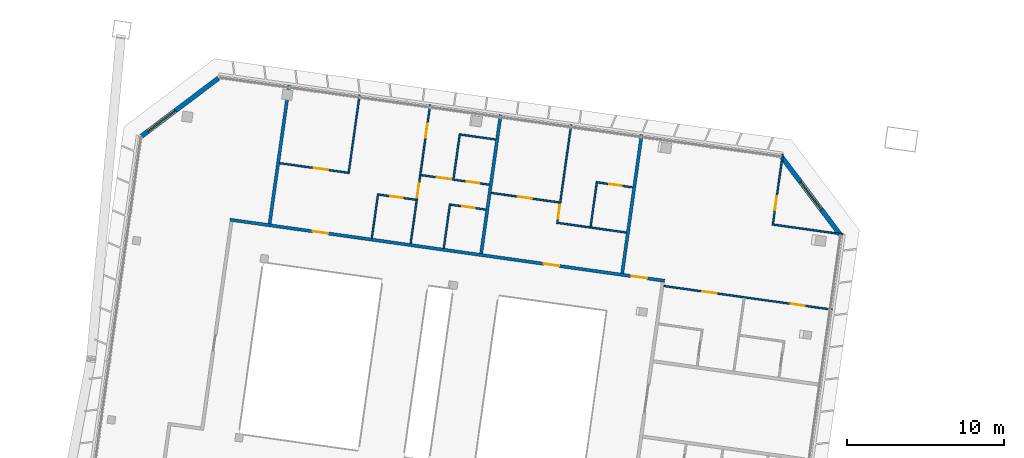
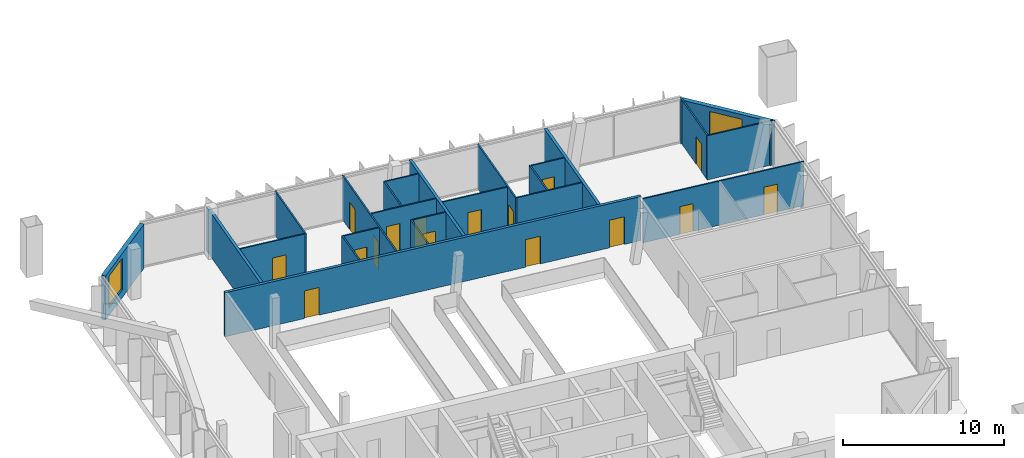
# One storey, part 13 of 19: 24 walls, 16 doors, 2 windows, 18 openings.
"""IFC4 building model written with IfcOpenShell, lengths in metres."""

from ifc_helpers import new_model, si_unit, direction, frame, frame_2d, origin, place, context, subcontext, project, spatial, rectangle, extrude, material, layer, layer_set, type_object, element, fill, save


model = new_model("IFC4")

# Units and contexts
model_context = context("Model", 3, precision=1e-05, world=origin(), true_north=direction((0.0, 1.0)))
body_context = subcontext(model_context, "Body", "Model", "MODEL_VIEW")
ifc_project = project(units=[si_unit("LENGTHUNIT", "METRE"), si_unit("AREAUNIT", "SQUARE_METRE"), si_unit("VOLUMEUNIT", "CUBIC_METRE"), si_unit("PLANEANGLEUNIT", "RADIAN"), si_unit("MASSUNIT", "GRAM", prefix="KILO")], contexts=[model_context])

# Site, building, storey
site_placement = place(None, origin())
site = spatial("IfcSite", under=ifc_project, at=site_placement, CompositionType="ELEMENT")
building_placement = place(site_placement, origin())
building = spatial("IfcBuilding", under=site, at=building_placement, Name="Mirante Cascada Hotel Towers", CompositionType="ELEMENT")
storey_placement = place(building_placement, frame((0.0, 0.0, 239.4)))
storey = spatial("IfcBuildingStorey", under=building, at=storey_placement, Name="L57", CompositionType="ELEMENT", Elevation=239.4)

# Wall, openings, doors
ifc_material_1 = material(Name="Fire-rated plasterboard on metal studs")
ifc_layer_1 = layer(ifc_material_1, 0.2)
ifc_layer_set_1 = layer_set([ifc_layer_1], Name="Compartment wall 200 EI 120")
wall_type_1 = type_object("IfcWallType", Name="Compartment wall 200 EI 120", PredefinedType="PARTITIONING", material=ifc_layer_set_1)
wall_1_placement = place(storey_placement, frame((-30.1927, 8.1254, 0.0), z_axis=(0.0, 0.0, 1.0), x_axis=(-0.9902682, 0.139172, 0.0)))
wall_1 = element("IfcWall", 1, at=wall_1_placement, inside=storey, type_object=wall_type_1, Name="Wall 1-L57-14", PredefinedType="PARTITIONING", context=body_context, shape_type="SweptSolid", body=[
    extrude(rectangle(XDim=27.9, YDim=0.2, at=frame_2d((13.95, 0.0))), origin(), (0.0, 0.0, 1.0), 3.35),
])
opening_1_placement = place(wall_1_placement, frame((1.1193, 0.0, 0.0)))
opening_1 = element("IfcOpeningElement", 2, at=opening_1_placement, cuts=wall_1, Name="Opening D1-L57-06", PredefinedType="OPENING", context=body_context, shape_type="SweptSolid", body=[
    extrude(rectangle(XDim=1.0, YDim=2.1, at=frame_2d((0.5, 1.05))), frame((0.0, 0.1, 0.0), z_axis=(0.0, -1.0, 0.0), x_axis=(1.0, 0.0, 0.0)), (0.0, 0.0, 1.0), 0.2),
])
opening_2_placement = place(wall_1_placement, frame((6.7655, 0.0, 0.0)))
opening_2 = element("IfcOpeningElement", 3, at=opening_2_placement, cuts=wall_1, Name="Opening D1-L57-07", PredefinedType="OPENING", context=body_context, shape_type="SweptSolid", body=[
    extrude(rectangle(XDim=1.0, YDim=2.1, at=frame_2d((0.5, 1.05))), frame((0.0, 0.1, 0.0), z_axis=(0.0, -1.0, 0.0), x_axis=(1.0, 0.0, 0.0)), (0.0, 0.0, 1.0), 0.2),
])
opening_3_placement = place(wall_1_placement, frame((21.5914, 0.0, 0.0)))
opening_3 = element("IfcOpeningElement", 4, at=opening_3_placement, cuts=wall_1, Name="Opening D1-L57-08", PredefinedType="OPENING", context=body_context, shape_type="SweptSolid", body=[
    extrude(rectangle(XDim=1.0, YDim=2.1, at=frame_2d((0.5, 1.05))), frame((0.0, 0.1, 0.0), z_axis=(0.0, -1.0, 0.0), x_axis=(1.0, 0.0, 0.0)), (0.0, 0.0, 1.0), 0.2),
])
ifc_material_2 = material(Name="Fire-rated timber door leaf", Category="wood")
door_type_1 = type_object("IfcDoorType", Name="Entrance door DG1 1000x2100 EI 60", OperationType="SINGLE_SWING_LEFT", PredefinedType="DOOR", material=ifc_material_2)
door_1_placement = place(opening_1_placement, frame((1.0, 0.0, 0.0), z_axis=(0.0, 0.0, 1.0), x_axis=(-1.0, 0.0, 0.0)))
door_1 = element("IfcDoor", 5, at=door_1_placement, inside=storey, type_object=door_type_1, Name="Door D1-L57-06", OperationType="SINGLE_SWING_RIGHT", OverallHeight=2.1, OverallWidth=1.0, PredefinedType="DOOR", context=body_context, shape_type="SweptSolid", body=[
    extrude(rectangle(XDim=1.0, YDim=2.1, at=frame_2d((0.5, 1.05))), frame((0.0, 0.025, 0.0), z_axis=(0.0, -1.0, 0.0), x_axis=(1.0, 0.0, 0.0)), (0.0, 0.0, 1.0), 0.05),
])
fill(opening_1, door_1)
door_2_placement = place(opening_2_placement, frame((1.0, 0.0, 0.0), z_axis=(0.0, 0.0, 1.0), x_axis=(-1.0, 0.0, 0.0)))
door_2 = element("IfcDoor", 6, at=door_2_placement, inside=storey, type_object=door_type_1, Name="Door D1-L57-07", OperationType="SINGLE_SWING_RIGHT", OverallHeight=2.1, OverallWidth=1.0, PredefinedType="DOOR", context=body_context, shape_type="SweptSolid", body=[
    extrude(rectangle(XDim=1.0, YDim=2.1, at=frame_2d((0.5, 1.05))), frame((0.0, 0.025, 0.0), z_axis=(0.0, -1.0, 0.0), x_axis=(1.0, 0.0, 0.0)), (0.0, 0.0, 1.0), 0.05),
])
fill(opening_2, door_2)
door_3_placement = place(opening_3_placement, frame((1.0, 0.0, 0.0), z_axis=(0.0, 0.0, 1.0), x_axis=(-1.0, 0.0, 0.0)))
door_3 = element("IfcDoor", 7, at=door_3_placement, inside=storey, type_object=door_type_1, Name="Door D1-L57-08", OperationType="SINGLE_SWING_RIGHT", OverallHeight=2.1, OverallWidth=1.0, PredefinedType="DOOR", context=body_context, shape_type="SweptSolid", body=[
    extrude(rectangle(XDim=1.0, YDim=2.1, at=frame_2d((0.5, 1.05))), frame((0.0, 0.025, 0.0), z_axis=(0.0, -1.0, 0.0), x_axis=(1.0, 0.0, 0.0)), (0.0, 0.0, 1.0), 0.05),
])
fill(opening_3, door_3)

# Walls
for number, where, z_axis, x_axis, name in (
    (8, (-31.6521, 17.4189, 0.0), (0.0, 0.0, 1.0), (-0.1391684, -0.9902687, 0.0), "Wall 1-L57-33"),
    (9, (-41.8564, 9.8656, 0.0), (0.0, 0.0, 1.0), (0.1391684, 0.9902687, 0.0), "Wall 1-L57-36"),
    (10, (-55.305, 11.7556, 0.0), (0.0, 0.0, 1.0), (0.1391794, 0.9902672, 0.0), "Wall 1-L57-42"),
):
    element("IfcWall", number, at=place(storey_placement, frame(where, z_axis=z_axis, x_axis=x_axis)), inside=storey, type_object=wall_type_1, Name=name, PredefinedType="PARTITIONING", context=body_context, shape_type="SweptSolid", body=[
        extrude(rectangle(XDim=8.9, YDim=0.2, at=frame_2d((4.45, 0.0))), origin(), (0.0, 0.0, 1.0), 3.35),
    ])

# Wall, openings, doors
ifc_material_3 = material(Name="Plasterboard on metal studs")
ifc_layer_2 = layer(ifc_material_3, 0.1)
ifc_layer_set_2 = layer_set([ifc_layer_2], Name="Partition 100")
wall_type_2 = type_object("IfcWallType", Name="Partition 100", PredefinedType="PARTITIONING", material=ifc_layer_set_2)
wall_2_placement = place(storey_placement, frame((-30.2391, 7.7953, 0.0), z_axis=(0.0, 0.0, 1.0), x_axis=(0.990268, -0.1391738, 0.0)))
wall_2 = element("IfcWall", 11, at=wall_2_placement, inside=storey, type_object=wall_type_2, Name="Wall 1-L57-13", PredefinedType="PARTITIONING", context=body_context, shape_type="SweptSolid", body=[
    extrude(rectangle(XDim=10.8153, YDim=0.1, at=frame_2d((5.4076, 0.0))), origin(), (0.0, 0.0, 1.0), 3.35),
])
opening_4_placement = place(wall_2_placement, frame((8.1364, 0.0, 0.0)))
opening_4 = element("IfcOpeningElement", 12, at=opening_4_placement, cuts=wall_2, Name="Opening D1-L57-04", PredefinedType="OPENING", context=body_context, shape_type="SweptSolid", body=[
    extrude(rectangle(XDim=0.9, YDim=2.1, at=frame_2d((0.45, 1.05))), frame((0.0, 0.05, 0.0), z_axis=(0.0, -1.0, 0.0), x_axis=(1.0, 0.0, 0.0)), (0.0, 0.0, 1.0), 0.1),
])
opening_5_placement = place(wall_2_placement, frame((2.4788, 0.0, 0.0)))
opening_5 = element("IfcOpeningElement", 13, at=opening_5_placement, cuts=wall_2, Name="Opening D1-L57-05", PredefinedType="OPENING", context=body_context, shape_type="SweptSolid", body=[
    extrude(rectangle(XDim=0.9, YDim=2.1, at=frame_2d((0.45, 1.05))), frame((0.0, 0.05, 0.0), z_axis=(0.0, -1.0, 0.0), x_axis=(1.0, 0.0, 0.0)), (0.0, 0.0, 1.0), 0.1),
])
ifc_material_4 = material(Name="Timber door leaf", Category="wood")
door_type_2 = type_object("IfcDoorType", Name="Room door DG3 900x2100", OperationType="SINGLE_SWING_LEFT", PredefinedType="DOOR", material=ifc_material_4)
door_4_placement = place(opening_4_placement, origin())
door_4 = element("IfcDoor", 14, at=door_4_placement, inside=storey, type_object=door_type_2, Name="Door D1-L57-04", OperationType="SINGLE_SWING_LEFT", OverallHeight=2.1, OverallWidth=0.9, PredefinedType="DOOR", context=body_context, shape_type="SweptSolid", body=[
    extrude(rectangle(XDim=0.9, YDim=2.1, at=frame_2d((0.45, 1.05))), frame((0.0, 0.025, 0.0), z_axis=(0.0, -1.0, 0.0), x_axis=(1.0, 0.0, 0.0)), (0.0, 0.0, 1.0), 0.05),
])
fill(opening_4, door_4)
door_5_placement = place(opening_5_placement, origin())
door_5 = element("IfcDoor", 15, at=door_5_placement, inside=storey, type_object=door_type_2, Name="Door D1-L57-05", OperationType="SINGLE_SWING_LEFT", OverallHeight=2.1, OverallWidth=0.9, PredefinedType="DOOR", context=body_context, shape_type="SweptSolid", body=[
    extrude(rectangle(XDim=0.9, YDim=2.1, at=frame_2d((0.45, 1.05))), frame((0.0, 0.025, 0.0), z_axis=(0.0, -1.0, 0.0), x_axis=(1.0, 0.0, 0.0)), (0.0, 0.0, 1.0), 0.05),
])
fill(opening_5, door_5)

# Wall
wall_3_placement = place(storey_placement, frame((-36.9622, 11.8033, 0.0), z_axis=(0.0, 0.0, 1.0), x_axis=(0.9902664, -0.1391852, 0.0)))
element("IfcWall", 16, at=wall_3_placement, inside=storey, type_object=wall_type_2, Name="Wall 1-L57-15", PredefinedType="PARTITIONING", context=body_context, shape_type="SweptSolid", body=[
    extrude(rectangle(XDim=4.3769, YDim=0.1, at=frame_2d((2.1884, 0.0))), origin(), (0.0, 0.0, 1.0), 3.35),
])

# Wall, opening, door
wall_4_placement = place(storey_placement, frame((-41.5658, 12.6522, 0.0), z_axis=(0.0, 0.0, 1.0), x_axis=(-0.9902643, 0.1391997, 0.0)))
wall_4 = element("IfcWall", 17, at=wall_4_placement, inside=storey, type_object=wall_type_2, Name="Wall 1-L57-16", PredefinedType="PARTITIONING", context=body_context, shape_type="SweptSolid", body=[
    extrude(rectangle(XDim=2.25, YDim=0.1, at=frame_2d((1.125, 0.0))), origin(), (0.0, 0.0, 1.0), 3.35),
])
opening_6_placement = place(wall_4_placement, frame((0.7, 0.0, 0.0)))
opening_6 = element("IfcOpeningElement", 18, at=opening_6_placement, cuts=wall_4, Name="Opening D1-L57-09", PredefinedType="OPENING", context=body_context, shape_type="SweptSolid", body=[
    extrude(rectangle(XDim=0.8, YDim=2.1, at=frame_2d((0.4, 1.05))), frame((0.0, 0.05, 0.0), z_axis=(0.0, -1.0, 0.0), x_axis=(1.0, 0.0, 0.0)), (0.0, 0.0, 1.0), 0.1),
])
ifc_material_5 = material(Name="Timber door leaf", Category="wood")
door_type_3 = type_object("IfcDoorType", Name="Bathroom door DG4 800x2100", OperationType="SINGLE_SWING_LEFT", PredefinedType="DOOR", material=ifc_material_5)
door_6_placement = place(opening_6_placement, origin())
door_6 = element("IfcDoor", 19, at=door_6_placement, inside=storey, type_object=door_type_3, Name="Door D1-L57-09", OperationType="SINGLE_SWING_LEFT", OverallHeight=2.1, OverallWidth=0.8, PredefinedType="DOOR", context=body_context, shape_type="SweptSolid", body=[
    extrude(rectangle(XDim=0.8, YDim=2.1, at=frame_2d((0.4, 1.05))), frame((0.0, 0.025, 0.0), z_axis=(0.0, -1.0, 0.0), x_axis=(1.0, 0.0, 0.0)), (0.0, 0.0, 1.0), 0.05),
])
fill(opening_6, door_6)

wall_5_placement = place(storey_placement, frame((-48.3663, 13.608, 0.0), z_axis=(0.0, 0.0, 1.0), x_axis=(0.9902674, -0.1391779, 0.0)))
wall_5 = element("IfcWall", 20, at=wall_5_placement, inside=storey, type_object=wall_type_2, Name="Wall 1-L57-17", PredefinedType="PARTITIONING", context=body_context, shape_type="SweptSolid", body=[
    extrude(rectangle(XDim=2.3905, YDim=0.1, at=frame_2d((1.1952, 0.0))), origin(), (0.0, 0.0, 1.0), 3.35),
])
opening_7_placement = place(wall_5_placement, frame((0.75, 0.0, 0.0)))
opening_7 = element("IfcOpeningElement", 21, at=opening_7_placement, cuts=wall_5, Name="Opening D1-L57-10", PredefinedType="OPENING", context=body_context, shape_type="SweptSolid", body=[
    extrude(rectangle(XDim=0.8, YDim=2.1, at=frame_2d((0.4, 1.05))), frame((0.0, 0.05, 0.0), z_axis=(0.0, -1.0, 0.0), x_axis=(1.0, 0.0, 0.0)), (0.0, 0.0, 1.0), 0.1),
])
door_7_placement = place(opening_7_placement, origin())
door_7 = element("IfcDoor", 22, at=door_7_placement, inside=storey, type_object=door_type_3, Name="Door D1-L57-10", OperationType="SINGLE_SWING_LEFT", OverallHeight=2.1, OverallWidth=0.8, PredefinedType="DOOR", context=body_context, shape_type="SweptSolid", body=[
    extrude(rectangle(XDim=0.8, YDim=2.1, at=frame_2d((0.4, 1.05))), frame((0.0, 0.025, 0.0), z_axis=(0.0, -1.0, 0.0), x_axis=(1.0, 0.0, 0.0)), (0.0, 0.0, 1.0), 0.05),
])
fill(opening_7, door_7)

wall_6_placement = place(storey_placement, frame((-36.8803, 13.1046, 0.0), z_axis=(0.0, 0.0, 1.0), x_axis=(-0.9902695, 0.1391628, 0.0)))
wall_6 = element("IfcWall", 23, at=wall_6_placement, inside=storey, type_object=wall_type_2, Name="Wall 1-L57-18", PredefinedType="PARTITIONING", context=body_context, shape_type="SweptSolid", body=[
    extrude(rectangle(XDim=4.3769, YDim=0.1, at=frame_2d((2.1884, 0.0))), origin(), (0.0, 0.0, 1.0), 3.35),
])
opening_8_placement = place(wall_6_placement, frame((1.7634, 0.0, 0.0)))
opening_8 = element("IfcOpeningElement", 24, at=opening_8_placement, cuts=wall_6, Name="Opening D1-L57-11", PredefinedType="OPENING", context=body_context, shape_type="SweptSolid", body=[
    extrude(rectangle(XDim=0.9, YDim=2.1, at=frame_2d((0.45, 1.05))), frame((0.0, 0.05, 0.0), z_axis=(0.0, -1.0, 0.0), x_axis=(1.0, 0.0, 0.0)), (0.0, 0.0, 1.0), 0.1),
])
door_8_placement = place(opening_8_placement, origin())
door_8 = element("IfcDoor", 25, at=door_8_placement, inside=storey, type_object=door_type_2, Name="Door D1-L57-11", OperationType="SINGLE_SWING_LEFT", OverallHeight=2.1, OverallWidth=0.9, PredefinedType="DOOR", context=body_context, shape_type="SweptSolid", body=[
    extrude(rectangle(XDim=0.9, YDim=2.1, at=frame_2d((0.45, 1.05))), frame((0.0, 0.025, 0.0), z_axis=(0.0, -1.0, 0.0), x_axis=(1.0, 0.0, 0.0)), (0.0, 0.0, 1.0), 0.05),
])
fill(opening_8, door_8)

wall_7_placement = place(storey_placement, frame((-54.6631, 15.6038, 0.0), z_axis=(0.0, 0.0, 1.0), x_axis=(0.9902664, -0.1391852, 0.0)))
wall_7 = element("IfcWall", 26, at=wall_7_placement, inside=storey, type_object=wall_type_2, Name="Wall 1-L57-19", PredefinedType="PARTITIONING", context=body_context, shape_type="SweptSolid", body=[
    extrude(rectangle(XDim=4.3769, YDim=0.1, at=frame_2d((2.1884, 0.0))), origin(), (0.0, 0.0, 1.0), 3.35),
])
opening_9_placement = place(wall_7_placement, frame((2.2, 0.0, 0.0)))
opening_9 = element("IfcOpeningElement", 27, at=opening_9_placement, cuts=wall_7, Name="Opening D1-L57-12", PredefinedType="OPENING", context=body_context, shape_type="SweptSolid", body=[
    extrude(rectangle(XDim=0.9, YDim=2.1, at=frame_2d((0.45, 1.05))), frame((0.0, 0.05, 0.0), z_axis=(0.0, -1.0, 0.0), x_axis=(1.0, 0.0, 0.0)), (0.0, 0.0, 1.0), 0.1),
])
door_9_placement = place(opening_9_placement, origin())
door_9 = element("IfcDoor", 28, at=door_9_placement, inside=storey, type_object=door_type_2, Name="Door D1-L57-12", OperationType="SINGLE_SWING_LEFT", OverallHeight=2.1, OverallWidth=0.9, PredefinedType="DOOR", context=body_context, shape_type="SweptSolid", body=[
    extrude(rectangle(XDim=0.9, YDim=2.1, at=frame_2d((0.45, 1.05))), frame((0.0, 0.025, 0.0), z_axis=(0.0, -1.0, 0.0), x_axis=(1.0, 0.0, 0.0)), (0.0, 0.0, 1.0), 0.05),
])
fill(opening_9, door_9)

# Wall
wall_8_placement = place(storey_placement, frame((-18.8565, 11.0764, 0.0), z_axis=(0.0, 0.0, 1.0), x_axis=(-0.9902691, 0.1391656, 0.0)))
element("IfcWall", 29, at=wall_8_placement, inside=storey, type_object=wall_type_2, Name="Wall 1-L57-20", PredefinedType="PARTITIONING", context=body_context, shape_type="SweptSolid", body=[
    extrude(rectangle(XDim=4.55, YDim=0.1, at=frame_2d((2.275, 0.0))), origin(), (0.0, 0.0, 1.0), 3.35),
])

# Wall, openings, doors
wall_9_placement = place(storey_placement, frame((-45.6774, 14.8458, 0.0), z_axis=(0.0, 0.0, 1.0), x_axis=(0.9902695, -0.1391628, 0.0)))
wall_9 = element("IfcWall", 30, at=wall_9_placement, inside=storey, type_object=wall_type_2, Name="Wall 1-L57-21", PredefinedType="PARTITIONING", context=body_context, shape_type="SweptSolid", body=[
    extrude(rectangle(XDim=4.3769, YDim=0.1, at=frame_2d((2.1884, 0.0))), origin(), (0.0, 0.0, 1.0), 3.35),
])
opening_10_placement = place(wall_9_placement, frame((2.9269, 0.0, 0.0)))
opening_10 = element("IfcOpeningElement", 31, at=opening_10_placement, cuts=wall_9, Name="Opening D1-L57-13", PredefinedType="OPENING", context=body_context, shape_type="SweptSolid", body=[
    extrude(rectangle(XDim=0.8, YDim=2.1, at=frame_2d((0.4, 1.05))), frame((0.0, 0.05, 0.0), z_axis=(0.0, -1.0, 0.0), x_axis=(1.0, 0.0, 0.0)), (0.0, 0.0, 1.0), 0.1),
])
opening_11_placement = place(wall_9_placement, frame((1.0269, 0.0, 0.0)))
opening_11 = element("IfcOpeningElement", 32, at=opening_11_placement, cuts=wall_9, Name="Opening D1-L57-14", PredefinedType="OPENING", context=body_context, shape_type="SweptSolid", body=[
    extrude(rectangle(XDim=0.9, YDim=2.1, at=frame_2d((0.45, 1.05))), frame((0.0, 0.05, 0.0), z_axis=(0.0, -1.0, 0.0), x_axis=(1.0, 0.0, 0.0)), (0.0, 0.0, 1.0), 0.1),
])
door_10_placement = place(opening_10_placement, frame((0.8, 0.0, 0.0), z_axis=(0.0, 0.0, 1.0), x_axis=(-1.0, 0.0, 0.0)))
door_10 = element("IfcDoor", 33, at=door_10_placement, inside=storey, type_object=door_type_3, Name="Door D1-L57-13", OperationType="SINGLE_SWING_RIGHT", OverallHeight=2.1, OverallWidth=0.8, PredefinedType="DOOR", context=body_context, shape_type="SweptSolid", body=[
    extrude(rectangle(XDim=0.8, YDim=2.1, at=frame_2d((0.4, 1.05))), frame((0.0, 0.025, 0.0), z_axis=(0.0, -1.0, 0.0), x_axis=(1.0, 0.0, 0.0)), (0.0, 0.0, 1.0), 0.05),
])
fill(opening_10, door_10)
door_11_placement = place(opening_11_placement, origin())
door_11 = element("IfcDoor", 34, at=door_11_placement, inside=storey, type_object=door_type_2, Name="Door D1-L57-14", OperationType="SINGLE_SWING_LEFT", OverallHeight=2.1, OverallWidth=0.9, PredefinedType="DOOR", context=body_context, shape_type="SweptSolid", body=[
    extrude(rectangle(XDim=0.9, YDim=2.1, at=frame_2d((0.45, 1.05))), frame((0.0, 0.025, 0.0), z_axis=(0.0, -1.0, 0.0), x_axis=(1.0, 0.0, 0.0)), (0.0, 0.0, 1.0), 0.05),
])
fill(opening_11, door_11)

# Wall, opening, door
wall_10_placement = place(storey_placement, frame((-32.2243, 14.0659, 0.0), z_axis=(0.0, 0.0, 1.0), x_axis=(-0.9902643, 0.1391997, 0.0)))
wall_10 = element("IfcWall", 35, at=wall_10_placement, inside=storey, type_object=wall_type_2, Name="Wall 1-L57-22", PredefinedType="PARTITIONING", context=body_context, shape_type="SweptSolid", body=[
    extrude(rectangle(XDim=2.25, YDim=0.1, at=frame_2d((1.125, 0.0))), origin(), (0.0, 0.0, 1.0), 3.35),
])
opening_12_placement = place(wall_10_placement, frame((0.7, 0.0, 0.0)))
opening_12 = element("IfcOpeningElement", 36, at=opening_12_placement, cuts=wall_10, Name="Opening D1-L57-15", PredefinedType="OPENING", context=body_context, shape_type="SweptSolid", body=[
    extrude(rectangle(XDim=0.8, YDim=2.1, at=frame_2d((0.4, 1.05))), frame((0.0, 0.05, 0.0), z_axis=(0.0, -1.0, 0.0), x_axis=(1.0, 0.0, 0.0)), (0.0, 0.0, 1.0), 0.1),
])
door_12_placement = place(opening_12_placement, frame((0.8, 0.0, 0.0), z_axis=(0.0, 0.0, 1.0), x_axis=(-1.0, 0.0, 0.0)))
door_12 = element("IfcDoor", 37, at=door_12_placement, inside=storey, type_object=door_type_3, Name="Door D1-L57-15", OperationType="SINGLE_SWING_RIGHT", OverallHeight=2.1, OverallWidth=0.8, PredefinedType="DOOR", context=body_context, shape_type="SweptSolid", body=[
    extrude(rectangle(XDim=0.8, YDim=2.1, at=frame_2d((0.4, 1.05))), frame((0.0, 0.025, 0.0), z_axis=(0.0, -1.0, 0.0), x_axis=(1.0, 0.0, 0.0)), (0.0, 0.0, 1.0), 0.05),
])
fill(opening_12, door_12)

# Wall
wall_11_placement = place(storey_placement, frame((-43.1676, 17.4216, 0.0), z_axis=(0.0, 0.0, 1.0), x_axis=(0.9902643, -0.1391997, 0.0)))
element("IfcWall", 38, at=wall_11_placement, inside=storey, type_object=wall_type_2, Name="Wall 1-L57-23", PredefinedType="PARTITIONING", context=body_context, shape_type="SweptSolid", body=[
    extrude(rectangle(XDim=2.25, YDim=0.1, at=frame_2d((1.125, 0.0))), origin(), (0.0, 0.0, 1.0), 3.35),
])

# Wall, opening, door
wall_12_placement = place(storey_placement, frame((-22.6864, 16.1589, 0.0), z_axis=(0.0, 0.0, 1.0), x_axis=(-0.1391684, -0.9902687, 0.0)))
wall_12 = element("IfcWall", 39, at=wall_12_placement, inside=storey, type_object=wall_type_2, Name="Wall 1-L57-27", PredefinedType="PARTITIONING", context=body_context, shape_type="SweptSolid", body=[
    extrude(rectangle(XDim=4.45, YDim=0.1, at=frame_2d((2.225, 0.0))), origin(), (0.0, 0.0, 1.0), 3.35),
])
opening_13_placement = place(wall_12_placement, frame((2.6917, 0.0, 0.0)))
opening_13 = element("IfcOpeningElement", 40, at=opening_13_placement, cuts=wall_12, Name="Opening D1-L57-19", PredefinedType="OPENING", context=body_context, shape_type="SweptSolid", body=[
    extrude(rectangle(XDim=0.9, YDim=2.1, at=frame_2d((0.45, 1.05))), frame((0.0, 0.05, 0.0), z_axis=(0.0, -1.0, 0.0), x_axis=(1.0, 0.0, 0.0)), (0.0, 0.0, 1.0), 0.1),
])
door_13_placement = place(opening_13_placement, frame((0.9, 0.0, 0.0), z_axis=(0.0, 0.0, 1.0), x_axis=(-1.0, 0.0, 0.0)))
door_13 = element("IfcDoor", 41, at=door_13_placement, inside=storey, type_object=door_type_2, Name="Door D1-L57-19", OperationType="SINGLE_SWING_RIGHT", OverallHeight=2.1, OverallWidth=0.9, PredefinedType="DOOR", context=body_context, shape_type="SweptSolid", body=[
    extrude(rectangle(XDim=0.9, YDim=2.1, at=frame_2d((0.45, 1.05))), frame((0.0, 0.025, 0.0), z_axis=(0.0, -1.0, 0.0), x_axis=(1.0, 0.0, 0.0)), (0.0, 0.0, 1.0), 0.05),
])
fill(opening_13, door_13)

# Wall
wall_13_placement = place(storey_placement, frame((-34.8986, 11.5637, 0.0), z_axis=(0.0, 0.0, 1.0), x_axis=(0.1391714, 0.9902683, 0.0)))
element("IfcWall", 42, at=wall_13_placement, inside=storey, type_object=wall_type_2, Name="Wall 1-L57-34", PredefinedType="PARTITIONING", context=body_context, shape_type="SweptSolid", body=[
    extrude(rectangle(XDim=2.9, YDim=0.1, at=frame_2d((1.45, 0.0))), origin(), (0.0, 0.0, 1.0), 3.35),
])

# Wall, opening, door
wall_14_placement = place(storey_placement, frame((-36.1349, 18.0489, 0.0), z_axis=(0.0, 0.0, 1.0), x_axis=(-0.139181, -0.990267, 0.0)))
wall_14 = element("IfcWall", 43, at=wall_14_placement, inside=storey, type_object=wall_type_2, Name="Wall 1-L57-35", PredefinedType="PARTITIONING", context=body_context, shape_type="SweptSolid", body=[
    extrude(rectangle(XDim=6.35, YDim=0.1, at=frame_2d((3.175, 0.0))), origin(), (0.0, 0.0, 1.0), 3.35),
])
opening_14_placement = place(wall_14_placement, frame((5.15, 0.0, 0.0)))
opening_14 = element("IfcOpeningElement", 44, at=opening_14_placement, cuts=wall_14, Name="Opening D1-L57-23", PredefinedType="OPENING", context=body_context, shape_type="SweptSolid", body=[
    extrude(rectangle(XDim=0.9, YDim=2.1, at=frame_2d((0.45, 1.05))), frame((0.0, 0.05, 0.0), z_axis=(0.0, -1.0, 0.0), x_axis=(1.0, 0.0, 0.0)), (0.0, 0.0, 1.0), 0.1),
])
door_14_placement = place(opening_14_placement, origin())
door_14 = element("IfcDoor", 45, at=door_14_placement, inside=storey, type_object=door_type_2, Name="Door D1-L57-23", OperationType="SINGLE_SWING_LEFT", OverallHeight=2.1, OverallWidth=0.9, PredefinedType="DOOR", context=body_context, shape_type="SweptSolid", body=[
    extrude(rectangle(XDim=0.9, YDim=2.1, at=frame_2d((0.45, 1.05))), frame((0.0, 0.025, 0.0), z_axis=(0.0, -1.0, 0.0), x_axis=(1.0, 0.0, 0.0)), (0.0, 0.0, 1.0), 0.05),
])
fill(opening_14, door_14)

# Walls
wall_15_placement = place(storey_placement, frame((-43.8364, 13.0218, 0.0), z_axis=(0.0, 0.0, 1.0), x_axis=(-0.1391957, -0.9902649, 0.0)))
element("IfcWall", 46, at=wall_15_placement, inside=storey, type_object=wall_type_2, Name="Wall 1-L57-37", PredefinedType="PARTITIONING", context=body_context, shape_type="SweptSolid", body=[
    extrude(rectangle(XDim=2.8499, YDim=0.1, at=frame_2d((1.425, 0.0))), origin(), (0.0, 0.0, 1.0), 3.35),
])
wall_16_placement = place(storey_placement, frame((-43.6137, 14.6063, 0.0), z_axis=(0.0, 0.0, 1.0), x_axis=(0.1391714, 0.9902683, 0.0)))
element("IfcWall", 47, at=wall_16_placement, inside=storey, type_object=wall_type_2, Name="Wall 1-L57-38", PredefinedType="PARTITIONING", context=body_context, shape_type="SweptSolid", body=[
    extrude(rectangle(XDim=2.9, YDim=0.1, at=frame_2d((1.45, 0.0))), origin(), (0.0, 0.0, 1.0), 3.35),
])

# Wall, openings, doors
wall_17_placement = place(storey_placement, frame((-45.1006, 19.309, 0.0), z_axis=(0.0, 0.0, 1.0), x_axis=(-0.1391794, -0.9902672, 0.0)))
wall_17 = element("IfcWall", 48, at=wall_17_placement, inside=storey, type_object=wall_type_2, Name="Wall 1-L57-39", PredefinedType="PARTITIONING", context=body_context, shape_type="SweptSolid", body=[
    extrude(rectangle(XDim=8.9, YDim=0.1, at=frame_2d((4.45, 0.0))), origin(), (0.0, 0.0, 1.0), 3.35),
])
opening_15_placement = place(wall_17_placement, frame((5.05, 0.0, 0.0)))
opening_15 = element("IfcOpeningElement", 49, at=opening_15_placement, cuts=wall_17, Name="Opening D1-L57-24", PredefinedType="OPENING", context=body_context, shape_type="SweptSolid", body=[
    extrude(rectangle(XDim=0.9, YDim=2.1, at=frame_2d((0.45, 1.05))), frame((0.0, 0.05, 0.0), z_axis=(0.0, -1.0, 0.0), x_axis=(1.0, 0.0, 0.0)), (0.0, 0.0, 1.0), 0.1),
])
opening_16_placement = place(wall_17_placement, frame((1.2, 0.0, 0.0)))
opening_16 = element("IfcOpeningElement", 50, at=opening_16_placement, cuts=wall_17, Name="Opening D1-L57-25", PredefinedType="OPENING", context=body_context, shape_type="SweptSolid", body=[
    extrude(rectangle(XDim=0.9, YDim=2.1, at=frame_2d((0.45, 1.05))), frame((0.0, 0.05, 0.0), z_axis=(0.0, -1.0, 0.0), x_axis=(1.0, 0.0, 0.0)), (0.0, 0.0, 1.0), 0.1),
])
door_15_placement = place(opening_15_placement, frame((0.9, 0.0, 0.0), z_axis=(0.0, 0.0, 1.0), x_axis=(-1.0, 0.0, 0.0)))
door_15 = element("IfcDoor", 51, at=door_15_placement, inside=storey, type_object=door_type_2, Name="Door D1-L57-24", OperationType="SINGLE_SWING_RIGHT", OverallHeight=2.1, OverallWidth=0.9, PredefinedType="DOOR", context=body_context, shape_type="SweptSolid", body=[
    extrude(rectangle(XDim=0.9, YDim=2.1, at=frame_2d((0.45, 1.05))), frame((0.0, 0.025, 0.0), z_axis=(0.0, -1.0, 0.0), x_axis=(1.0, 0.0, 0.0)), (0.0, 0.0, 1.0), 0.05),
])
fill(opening_15, door_15)
door_16_placement = place(opening_16_placement, frame((0.9, 0.0, 0.0), z_axis=(0.0, 0.0, 1.0), x_axis=(-1.0, 0.0, 0.0)))
door_16 = element("IfcDoor", 52, at=door_16_placement, inside=storey, type_object=door_type_2, Name="Door D1-L57-25", OperationType="SINGLE_SWING_RIGHT", OverallHeight=2.1, OverallWidth=0.9, PredefinedType="DOOR", context=body_context, shape_type="SweptSolid", body=[
    extrude(rectangle(XDim=0.9, YDim=2.1, at=frame_2d((0.45, 1.05))), frame((0.0, 0.025, 0.0), z_axis=(0.0, -1.0, 0.0), x_axis=(1.0, 0.0, 0.0)), (0.0, 0.0, 1.0), 0.05),
])
fill(opening_16, door_16)

# Walls
wall_18_placement = place(storey_placement, frame((-48.8055, 10.8422, 0.0), z_axis=(0.0, 0.0, 1.0), x_axis=(0.1391564, 0.9902704, 0.0)))
element("IfcWall", 53, at=wall_18_placement, inside=storey, type_object=wall_type_2, Name="Wall 1-L57-40", PredefinedType="PARTITIONING", context=body_context, shape_type="SweptSolid", body=[
    extrude(rectangle(XDim=2.85, YDim=0.1, at=frame_2d((1.425, 0.0))), origin(), (0.0, 0.0, 1.0), 3.35),
])
wall_19_placement = place(storey_placement, frame((-49.5835, 19.939, 0.0), z_axis=(0.0, 0.0, 1.0), x_axis=(-0.1391671, -0.9902689, 0.0)))
element("IfcWall", 54, at=wall_19_placement, inside=storey, type_object=wall_type_2, Name="Wall 1-L57-41", PredefinedType="PARTITIONING", context=body_context, shape_type="SweptSolid", body=[
    extrude(rectangle(XDim=5.05, YDim=0.1, at=frame_2d((2.525, 0.0))), origin(), (0.0, 0.0, 1.0), 3.35),
])

# Wall, opening, window
ifc_material_6 = material(Name="Precast concrete C40/50", Category="concrete")
ifc_layer_3 = layer(ifc_material_6, 0.3)
ifc_layer_set_3 = layer_set([ifc_layer_3], Name="Precast concrete C40/50 cladding wall 300")
wall_type_3 = type_object("IfcWallType", Name="Precast concrete C40/50 cladding wall 300", PredefinedType="STANDARD", material=ifc_layer_set_3)
wall_20_placement = place(storey_placement, frame((-63.4422, 17.324, 0.0), z_axis=(0.0, 0.0, 1.0), x_axis=(0.7986362, 0.6018141, 0.0)))
wall_20 = element("IfcWall", 55, at=wall_20_placement, inside=storey, type_object=wall_type_3, Name="Corner cladding wall T1 L57 outer front", PredefinedType="STANDARD", context=body_context, shape_type="SweptSolid", body=[
    extrude(rectangle(XDim=6.1157, YDim=0.3, at=frame_2d((3.0578, 0.0))), origin(), (0.0, 0.0, 1.0), 3.35),
])
opening_17_placement = place(wall_20_placement, frame((0.4975, 0.0, 0.6)))
opening_17 = element("IfcOpeningElement", 56, at=opening_17_placement, cuts=wall_20, Name="Opening W1-57-04", PredefinedType="OPENING", context=body_context, shape_type="SweptSolid", body=[
    extrude(rectangle(XDim=2.2, YDim=2.4, at=frame_2d((1.1, 1.2))), frame((0.0, 0.15, 0.0), z_axis=(0.0, -1.0, 0.0), x_axis=(1.0, 0.0, 0.0)), (0.0, 0.0, 1.0), 0.3),
])
ifc_material_7 = material(Name="Aluminium frame with clear double glazing", Category="aluminium")
window_type = type_object("IfcWindowType", Name="Corner suite window 2200x2400", PartitioningType="DOUBLE_PANEL_VERTICAL", PredefinedType="WINDOW", material=ifc_material_7)
window_1_placement = place(opening_17_placement, origin())
window_1 = element("IfcWindow", 57, at=window_1_placement, inside=storey, type_object=window_type, Name="Window W1-57-04", OverallHeight=2.4, OverallWidth=2.2, PartitioningType="SINGLE_PANEL", PredefinedType="WINDOW", context=body_context, shape_type="SweptSolid", body=[
    extrude(rectangle(XDim=2.2, YDim=2.4, at=frame_2d((1.1, 1.2))), frame((0.0, 0.03, 0.0), z_axis=(0.0, -1.0, 0.0), x_axis=(1.0, 0.0, 0.0)), (0.0, 0.0, 1.0), 0.06),
])
fill(opening_17, window_1)

wall_21_placement = place(storey_placement, frame((-22.7315, 15.9695, 0.0), z_axis=(0.0, 0.0, 1.0), x_axis=(0.6018063, -0.7986421, 0.0)))
wall_21 = element("IfcWall", 58, at=wall_21_placement, inside=storey, type_object=wall_type_3, Name="Corner cladding wall T1 L57 front inner", PredefinedType="STANDARD", context=body_context, shape_type="SweptSolid", body=[
    extrude(rectangle(XDim=6.1158, YDim=0.3, at=frame_2d((3.0579, 0.0))), origin(), (0.0, 0.0, 1.0), 3.35),
])
opening_18_placement = place(wall_21_placement, frame((1.9578, 0.0, 0.6)))
opening_18 = element("IfcOpeningElement", 59, at=opening_18_placement, cuts=wall_21, Name="Opening W1-57-05", PredefinedType="OPENING", context=body_context, shape_type="SweptSolid", body=[
    extrude(rectangle(XDim=2.2, YDim=2.4, at=frame_2d((1.1, 1.2))), frame((0.0, 0.15, 0.0), z_axis=(0.0, -1.0, 0.0), x_axis=(1.0, 0.0, 0.0)), (0.0, 0.0, 1.0), 0.3),
])
window_2_placement = place(opening_18_placement, origin())
window_2 = element("IfcWindow", 60, at=window_2_placement, inside=storey, type_object=window_type, Name="Window W1-57-05", OverallHeight=2.4, OverallWidth=2.2, PartitioningType="SINGLE_PANEL", PredefinedType="WINDOW", context=body_context, shape_type="SweptSolid", body=[
    extrude(rectangle(XDim=2.2, YDim=2.4, at=frame_2d((1.1, 1.2))), frame((0.0, 0.03, 0.0), z_axis=(0.0, -1.0, 0.0), x_axis=(1.0, 0.0, 0.0)), (0.0, 0.0, 1.0), 0.06),
])
fill(opening_18, window_2)

save(model, "model.ifc")
